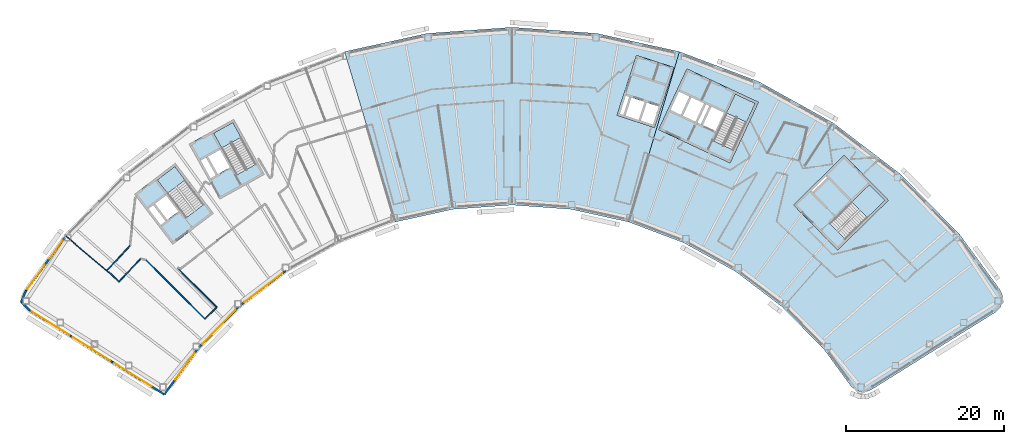
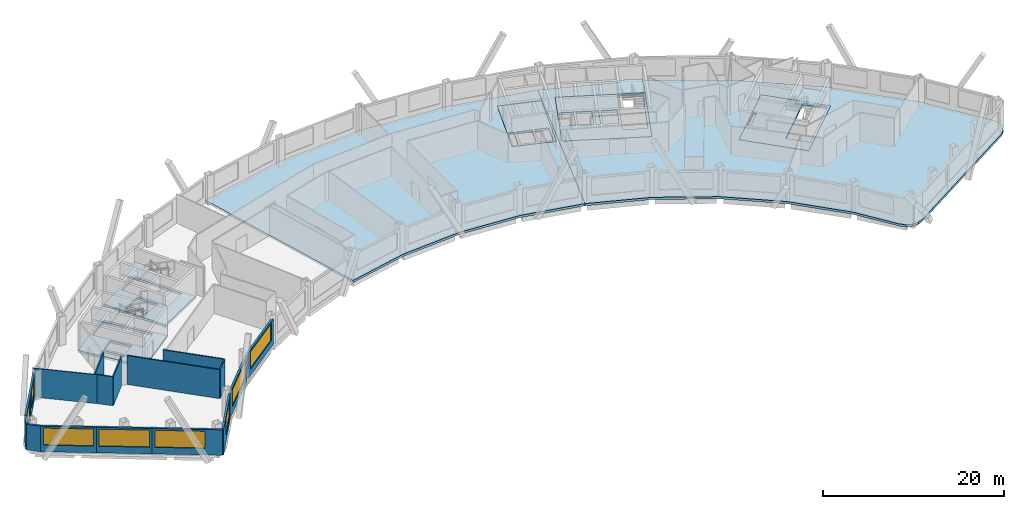
# One storey, part 4 of 13: 16 walls, 11 slabs, 8 windows, 8 openings, 4 elements without a shape of their own.
"""IFC4 building model written with IfcOpenShell, lengths in metres."""

from ifc_helpers import new_model, si_unit, direction, frame, frame_2d, origin, place, context, subcontext, project, spatial, polyline, rectangle, outline, extrude, material, layer, layer_set, type_object, element, fill, aggregate, save


model = new_model("IFC4")

# Units and contexts
model_context = context("Model", 3, precision=1e-05, world=origin(), true_north=direction((0.0, 1.0)))
body_context = subcontext(model_context, "Body", "Model", "MODEL_VIEW")
ifc_project = project(units=[si_unit("LENGTHUNIT", "METRE"), si_unit("AREAUNIT", "SQUARE_METRE"), si_unit("VOLUMEUNIT", "CUBIC_METRE"), si_unit("PLANEANGLEUNIT", "RADIAN"), si_unit("MASSUNIT", "GRAM", prefix="KILO")], contexts=[model_context])

# Site, building, storey
site_placement = place(None, origin())
site = spatial("IfcSite", under=ifc_project, at=site_placement, CompositionType="ELEMENT")
building_placement = place(site_placement, origin())
building = spatial("IfcBuilding", under=site, at=building_placement, Name="Tuul Gate Civic Tower", CompositionType="ELEMENT")
storey_placement = place(building_placement, frame((0.0, 0.0, 302.60009765625)))
storey = spatial("IfcBuildingStorey", under=building, at=storey_placement, Name="Level 68", CompositionType="ELEMENT", Elevation=302.60009765625)

# Slabs
ifc_material_1 = material(Name="Concrete C40/50", Category="concrete")
ifc_layer_1 = layer(ifc_material_1, 0.300048828125)
ifc_layer_set_1 = layer_set([ifc_layer_1], Name="Concrete C40/50")
slab_type_1 = type_object("IfcSlabType", Name="Core floor slab 300", PredefinedType="FLOOR", material=ifc_layer_set_1)
slab_1_placement = place(storey_placement, frame((0.0, 0.0, -0.300048828125)))
element("IfcSlab", 1, at=slab_1_placement, inside=storey, type_object=slab_type_1, Name="FLOOR SLAB", PredefinedType="FLOOR", context=body_context, shape_type="SweptSolid", body=[
    extrude(outline(polyline([(-31.10009765625, -13.7890625), (-35.946044921875, -7.423828125), (-41.11767578125, -11.361572265625), (-36.271484375, -17.726806640625), (-31.10009765625, -13.7890625)]), holes=[polyline([(-35.561767578125, -13.541259765625), (-37.1064453125, -11.512451171875), (-38.498779296875, -12.572509765625), (-36.9541015625, -14.6015625), (-35.561767578125, -13.541259765625)]), polyline([(-37.19287109375, -14.783203125), (-38.737548828125, -12.75439453125), (-39.45361328125, -13.299560546875), (-37.908935546875, -15.328369140625), (-37.19287109375, -14.783203125)]), polyline([(-32.33935546875, -12.65771484375), (-34.56591796875, -14.352783203125), (-38.229736328125, -9.54052734375), (-36.003173828125, -7.845458984375), (-32.33935546875, -12.65771484375)])]), origin(), (0.0, 0.0, 1.0), 0.300048828125),
])
slab_2_placement = place(storey_placement, frame((0.0, 0.0, -0.300048828125)))
element("IfcSlab", 2, at=slab_2_placement, inside=storey, type_object=slab_type_1, Name="FLOOR SLAB", PredefinedType="FLOOR", context=body_context, shape_type="SweptSolid", body=[
    extrude(outline(polyline([(-24.638916015625, -8.846923828125), (-28.51708984375, -1.849853515625), (-34.2021484375, -5.0009765625), (-30.32421875, -11.998046875), (-24.638916015625, -8.846923828125)]), holes=[polyline([(-29.0185546875, -7.958740234375), (-30.254638671875, -5.728515625), (-31.785400390625, -6.576904296875), (-30.54931640625, -8.80712890625), (-29.0185546875, -7.958740234375)]), polyline([(-30.8115234375, -8.95263671875), (-32.047607421875, -6.72216796875), (-32.8349609375, -7.158447265625), (-31.5986328125, -9.388916015625), (-30.8115234375, -8.95263671875)]), polyline([(-25.702392578125, -7.548828125), (-28.14990234375, -8.905517578125), (-31.08203125, -3.615234375), (-28.63427734375, -2.2587890625), (-25.702392578125, -7.548828125)])]), origin(), (0.0, 0.0, 1.0), 0.300048828125),
])
slab_3_placement = place(storey_placement, frame((0.0, 0.0, -0.300048828125)))
element("IfcSlab", 3, at=slab_3_placement, inside=storey, type_object=slab_type_1, Name="FLOOR SLAB", PredefinedType="FLOOR", context=body_context, shape_type="SweptSolid", body=[
    extrude(outline(polyline([(48.117919921875, -18.43310546875), (54.545166015625, -12.1328125), (48.945068359375, -6.419921875), (42.517822265625, -12.719970703125), (48.117919921875, -18.43310546875)]), holes=[polyline([(44.93896484375, -11.046875), (46.760009765625, -9.261962890625), (46.514892578125, -9.011962890625), (44.69384765625, -10.797119140625), (44.93896484375, -11.046875)]), polyline([(49.086181640625, -17.062744140625), (47.12744140625, -15.064208984375), (52.160888671875, -10.130126953125), (54.11962890625, -12.128662109375), (49.086181640625, -17.062744140625)])]), origin(), (0.0, 0.0, 1.0), 0.300048828125),
])
slab_4_placement = place(storey_placement, frame((0.0, 0.0, -0.300048828125)))
element("IfcSlab", 4, at=slab_4_placement, inside=storey, type_object=slab_type_1, Name="FLOOR SLAB", PredefinedType="FLOOR", context=body_context, shape_type="SweptSolid", body=[
    extrude(outline(polyline([(34.465087890625, -7.385986328125), (38.056884765625, 0.31787109375), (28.993896484375, 4.543701171875), (25.40185546875, -3.159912109375), (34.465087890625, -7.385986328125)]), holes=[polyline([(32.60888671875, -3.32080078125), (33.6865234375, -1.009765625), (32.1005859375, -0.27001953125), (31.02294921875, -2.581298828125), (32.60888671875, -3.32080078125)]), polyline([(30.0712890625, -2.137451171875), (31.14892578125, 0.173583984375), (29.562744140625, 0.9130859375), (28.4853515625, -1.39794921875), (30.0712890625, -2.137451171875)]), polyline([(30.751220703125, -2.454345703125), (31.82861328125, -0.143310546875), (31.4208984375, 0.046875), (30.34326171875, -2.264404296875), (30.751220703125, -2.454345703125)]), polyline([(28.21337890625, -1.27099609375), (29.291015625, 1.0400390625), (27.8408203125, 1.71630859375), (26.76318359375, -0.594970703125), (28.21337890625, -1.27099609375)]), polyline([(34.889892578125, -5.7626953125), (32.353759765625, -4.580078125), (35.120849609375, 1.354736328125), (37.6572265625, 0.17236328125), (34.889892578125, -5.7626953125)])]), origin(), (0.0, 0.0, 1.0), 0.300048828125),
])
ifc_material_2 = material(Name="Concrete C40/50", Category="concrete")
ifc_layer_2 = layer(ifc_material_2, 0.300048828125)
ifc_layer_set_2 = layer_set([ifc_layer_2], Name="Concrete C40/50")
slab_type_2 = type_object("IfcSlabType", Name="Core floor slab 300 non-bearing", PredefinedType="FLOOR", material=ifc_layer_set_2)
slab_5_placement = place(storey_placement, frame((0.0, 0.0, -0.300048828125)))
element("IfcSlab", 5, at=slab_5_placement, inside=storey, type_object=slab_type_2, Name="FLOOR SLAB", PredefinedType="FLOOR", context=body_context, shape_type="SweptSolid", body=[
    extrude(outline(polyline([(24.864990234375, -2.888916015625), (27.337890625, 4.71923828125), (22.58251953125, 6.264404296875), (20.109619140625, -1.343994140625), (24.864990234375, -2.888916015625)]), holes=[polyline([(24.67236328125, -2.510986328125), (25.414306640625, -0.228515625), (23.892578125, 0.265869140625), (23.150634765625, -2.0166015625), (24.67236328125, -2.510986328125)]), polyline([(22.865478515625, -1.923828125), (23.607177734375, 0.358642578125), (21.94287109375, 0.8994140625), (21.201171875, -1.383056640625), (22.865478515625, -1.923828125)]), polyline([(20.869384765625, -1.43310546875), (21.65771484375, 0.9921875), (21.0869140625, 1.177490234375), (20.298583984375, -1.24755859375), (20.869384765625, -1.43310546875)])]), origin(), (0.0, 0.0, 1.0), 0.300048828125),
])

# Stair, slab
ifc_material_3 = material(Name="Concrete C40/50", Category="concrete")
stair_type = type_object("IfcStairType", Name="Exit stair", PredefinedType="HALF_TURN_STAIR", material=ifc_material_3)
stair_1_placement = place(storey_placement, origin())
stair_1 = element("IfcStair", 6, at=stair_1_placement, inside=storey, type_object=stair_type, Name="Level 68 ST-1", PredefinedType="HALF_TURN_STAIR")
ifc_material_4 = material(Name="Concrete C40/50", Category="concrete")
ifc_layer_3 = layer(ifc_material_4, 0.199951171875)
ifc_layer_set_3 = layer_set([ifc_layer_3], Name="Concrete C40/50")
slab_type_3 = type_object("IfcSlabType", Name="Exit stair landing", PredefinedType="LANDING", material=ifc_layer_set_3)
slab_6_placement = place(storey_placement, frame((0.0, 0.0, 1.89990234375)))
slab_6 = element("IfcSlab", 7, at=slab_6_placement, type_object=slab_type_3, Name="ST-1 landing 1", PredefinedType="LANDING", context=body_context, shape_type="SweptSolid", body=[
    extrude(outline(polyline([(-34.699462890625, -9.554931640625), (-36.9287109375, -11.252197265625), (-38.23193359375, -9.540283203125), (-36.0029296875, -7.843017578125), (-34.699462890625, -9.554931640625)])), origin(), (0.0, 0.0, 1.0), 0.199951171875),
])
aggregate(stair_1, [slab_6])

stair_2_placement = place(storey_placement, origin())
stair_2 = element("IfcStair", 8, at=stair_2_placement, inside=storey, type_object=stair_type, Name="Level 68 ST-2", PredefinedType="HALF_TURN_STAIR")
slab_7_placement = place(storey_placement, frame((0.0, 0.0, 1.89990234375)))
slab_7 = element("IfcSlab", 9, at=slab_7_placement, type_object=slab_type_3, Name="ST-2 landing 1", PredefinedType="LANDING", context=body_context, shape_type="SweptSolid", body=[
    extrude(outline(polyline([(-27.5908203125, -4.138427734375), (-30.041015625, -5.49658203125), (-31.084228515625, -3.61474609375), (-28.6337890625, -2.256591796875), (-27.5908203125, -4.138427734375)])), origin(), (0.0, 0.0, 1.0), 0.199951171875),
])
aggregate(stair_2, [slab_7])

stair_3_placement = place(storey_placement, origin())
stair_3 = element("IfcStair", 10, at=stair_3_placement, inside=storey, type_object=stair_type, Name="Level 68 ST-3", PredefinedType="HALF_TURN_STAIR")
slab_8_placement = place(storey_placement, frame((0.0, 0.0, 1.89990234375)))
slab_8 = element("IfcSlab", 11, at=slab_8_placement, type_object=slab_type_3, Name="ST-3 landing 1", PredefinedType="LANDING", context=body_context, shape_type="SweptSolid", body=[
    extrude(outline(polyline([(51.871337890625, -14.3349609375), (49.91015625, -12.334228515625), (52.160888671875, -10.1279296875), (54.1220703125, -12.128662109375), (51.871337890625, -14.3349609375)])), origin(), (0.0, 0.0, 1.0), 0.199951171875),
])
aggregate(stair_3, [slab_8])

stair_4_placement = place(storey_placement, origin())
stair_4 = element("IfcStair", 12, at=stair_4_placement, inside=storey, type_object=stair_type, Name="Level 68 ST-4", PredefinedType="HALF_TURN_STAIR")
slab_9_placement = place(storey_placement, frame((0.0, 0.0, 1.89990234375)))
slab_9 = element("IfcSlab", 13, at=slab_9_placement, type_object=slab_type_3, Name="ST-4 landing 1", PredefinedType="LANDING", context=body_context, shape_type="SweptSolid", body=[
    extrude(outline(polyline([(36.538818359375, -2.230224609375), (33.999755859375, -1.046142578125), (35.1201171875, 1.35693359375), (37.659423828125, 0.173095703125), (36.538818359375, -2.230224609375)])), origin(), (0.0, 0.0, 1.0), 0.199951171875),
])
aggregate(stair_4, [slab_9])

# Slabs
ifc_material_5 = material(Name="Concrete C35/45", Category="concrete")
ifc_layer_4 = layer(ifc_material_5, 0.300048828125)
ifc_layer_set_4 = layer_set([ifc_layer_4], Name="Concrete C35/45")
slab_type_4 = type_object("IfcSlabType", Name="STR-FLOOR-SLAB-300", PredefinedType="FLOOR", material=ifc_layer_set_4)
slab_10_placement = place(storey_placement, frame((0.0, 0.0, -0.300048828125)))
element("IfcSlab", 14, at=slab_10_placement, inside=storey, type_object=slab_type_4, Name="Level 68/slab/M", PredefinedType="FLOOR", context=body_context, shape_type="SweptSolid", body=[
    extrude(outline(polyline([(21.60205078125, -14.883056640625), (28.035888671875, 6.739013671875), (17.52392578125, 9.054931640625), (6.7880859375, 9.8330078125), (-3.947998046875, 9.054931640625), (-14.4599609375, 6.739013671875), (-8.02587890625, -14.883056640625), (-0.697021484375, -13.26806640625), (6.7880859375, -12.72607421875), (14.27294921875, -13.26806640625), (21.60205078125, -14.883056640625)]), holes=[polyline([(20.110107421875, -1.343994140625), (22.58203125, 6.264892578125), (27.337890625, 4.719970703125), (24.864990234375, -2.888916015625), (20.110107421875, -1.343994140625)])]), origin(), (0.0, 0.0, 1.0), 0.300048828125),
])
slab_11_placement = place(storey_placement, frame((0.0, 0.0, -0.300048828125)))
element("IfcSlab", 15, at=slab_11_placement, inside=storey, type_object=slab_type_4, Name="Level 68/slab/E", PredefinedType="FLOOR", context=body_context, shape_type="SweptSolid", body=[
    extrude(outline(polyline([(51.719970703125, -36.427001953125), (52.4140625, -36.156005859375), (68.14404296875, -26.326904296875), (68.73388671875, -25.762939453125), (69.048095703125, -25.010009765625), (69.035888671875, -24.195068359375), (68.699951171875, -23.451904296875), (63.618896484375, -16.4951171875), (56.083984375, -8.80810546875), (47.51904296875, -2.287109375), (38.10498046875, 2.930908203125), (28.035888671875, 6.739013671875), (21.60205078125, -14.883056640625), (28.6220703125, -17.5380859375), (35.18603515625, -21.176025390625), (41.156982421875, -25.721923828125), (46.409912109375, -31.08203125), (49.739013671875, -35.639892578125), (50.282958984375, -36.14892578125), (50.97509765625, -36.424072265625), (51.719970703125, -36.427001953125)]), holes=[polyline([(48.117919921875, -18.43310546875), (42.51806640625, -12.719970703125), (48.945068359375, -6.419921875), (54.544921875, -12.133056640625), (48.117919921875, -18.43310546875)]), polyline([(25.402099609375, -3.159912109375), (28.993896484375, 4.5439453125), (38.056884765625, 0.318115234375), (34.465087890625, -7.385986328125), (25.402099609375, -3.159912109375)])]), origin(), (0.0, 0.0, 1.0), 0.300048828125),
])

# Walls
ifc_material_6 = material(Name="Gypsum board partition")
ifc_layer_5 = layer(ifc_material_6, 0.14990234375)
ifc_layer_set_5 = layer_set([ifc_layer_5], Name="Gypsum board partition")
wall_type_1 = type_object("IfcWallType", Name="Corridor wall P150", PredefinedType="PARTITIONING", material=ifc_layer_set_5)
wall_1_placement = place(storey_placement, frame((-44.6142578125, -21.029052734375, 0.0), z_axis=(0.0, 0.0, 1.0), x_axis=(0.68265633177, 0.730739579259, 0.0)))
element("IfcWall", 16, at=wall_1_placement, inside=storey, type_object=wall_type_1, Name="p045", PredefinedType="PARTITIONING", context=body_context, shape_type="SweptSolid", body=[
    extrude(rectangle(XDim=4.27001953125, YDim=0.14990234375, at=frame_2d((2.135009765625, 0.0))), origin(), (0.0, 0.0, 1.0), 3.89990234375),
])
wall_2_placement = place(storey_placement, frame((-44.39306640625, -21.236572265625, 0.0), z_axis=(0.0, 0.0, 1.0), x_axis=(0.730747937215, -0.682647385007, 0.0)))
element("IfcWall", 17, at=wall_2_placement, inside=storey, type_object=wall_type_1, Name="p046", PredefinedType="PARTITIONING", context=body_context, shape_type="SweptSolid", body=[
    extrude(rectangle(XDim=1.796875, YDim=0.14990234375, at=frame_2d((0.8984375, 0.0))), origin(), (0.0, 0.0, 1.0), 3.89990234375),
])
wall_3_placement = place(storey_placement, frame((-43.080078125, -22.463134765625, 0.0), z_axis=(0.0, 0.0, 1.0), x_axis=(0.682698460931, 0.730700219955, 0.0)))
element("IfcWall", 18, at=wall_3_placement, inside=storey, type_object=wall_type_1, Name="p078", PredefinedType="PARTITIONING", context=body_context, shape_type="SweptSolid", body=[
    extrude(rectangle(XDim=4.002685546875, YDim=0.14990234375, at=frame_2d((2.00146484375, 0.0))), origin(), (0.0, 0.0, 1.0), 3.89990234375),
])
wall_4_placement = place(storey_placement, frame((-39.660400390625, -19.703369140625, 0.0), z_axis=(0.0, 0.0, 1.0), x_axis=(0.707106781187, -0.707106781187, 0.0)))
element("IfcWall", 19, at=wall_4_placement, inside=storey, type_object=wall_type_1, Name="p081", PredefinedType="PARTITIONING", context=body_context, shape_type="SweptSolid", body=[
    extrude(rectangle(XDim=10.580078125, YDim=0.14990234375, at=frame_2d((5.2900390625, 0.0))), origin(), (0.0, 0.0, 1.0), 3.89990234375),
])
wall_5_placement = place(storey_placement, frame((-32.17919921875, -27.1845703125, 0.0), z_axis=(0.0, 0.0, 1.0), x_axis=(0.707164905125, 0.70704865247, 0.0)))
element("IfcWall", 20, at=wall_5_placement, inside=storey, type_object=wall_type_1, Name="p082", PredefinedType="PARTITIONING", context=body_context, shape_type="SweptSolid", body=[
    extrude(rectangle(XDim=2.10009765625, YDim=0.14990234375, at=frame_2d((1.050048828125, 0.0))), origin(), (0.0, 0.0, 1.0), 3.89990234375),
])
wall_6_placement = place(storey_placement, frame((-35.668701171875, -20.72509765625, 0.0), z_axis=(0.0, 0.0, 1.0), x_axis=(0.707106781187, -0.707106781187, 0.0)))
element("IfcWall", 21, at=wall_6_placement, inside=storey, type_object=wall_type_1, Name="p083", PredefinedType="PARTITIONING", context=body_context, shape_type="SweptSolid", body=[
    extrude(rectangle(XDim=7.03515625, YDim=0.14990234375, at=frame_2d((3.517578125, 0.0))), origin(), (0.0, 0.0, 1.0), 3.89990234375),
])

# Wall, openings, windows
ifc_material_7 = material(Name="Precast concrete C40/50", Category="concrete")
ifc_layer_6 = layer(ifc_material_7, 0.25)
ifc_layer_set_6 = layer_set([ifc_layer_6], Name="Precast concrete C40/50")
wall_type_2 = type_object("IfcWallType", Name="External wall", PredefinedType="STANDARD", material=ifc_layer_set_6)
wall_7_placement = place(storey_placement, frame((-49.98388671875, -16.880615234375, 0.0), z_axis=(0.0, 0.0, 1.0), x_axis=(-0.589770614985, -0.807570815285, 0.0)))
wall_7 = element("IfcWall", 22, at=wall_7_placement, inside=storey, type_object=wall_type_2, Name="External wall", PredefinedType="STANDARD", context=body_context, shape_type="SweptSolid", body=[
    extrude(rectangle(XDim=8.337646484375, YDim=0.25, at=frame_2d((4.1689453125, 0.0))), origin(), (0.0, 0.0, 1.0), 3.449951171875),
])
opening_1_placement = place(wall_7_placement, frame((0.48486328125, 0.0, 0.89990234375)))
opening_1 = element("IfcOpeningElement", 23, at=opening_1_placement, cuts=wall_7, Name="Opening W23", PredefinedType="OPENING", context=body_context, shape_type="SweptSolid", body=[
    extrude(rectangle(XDim=2.800048828125, YDim=2.300048828125, at=frame_2d((1.39990234375, 1.14990234375))), frame((0.0, 0.135009765625, 0.0), z_axis=(0.0, -1.0, 0.0), x_axis=(1.0, 0.0, 0.0)), (0.0, 0.0, 1.0), 0.27001953125),
])
opening_2_placement = place(wall_7_placement, frame((4.33642578125, 0.0, 0.89990234375)))
opening_2 = element("IfcOpeningElement", 24, at=opening_2_placement, cuts=wall_7, Name="Opening W21", PredefinedType="OPENING", context=body_context, shape_type="SweptSolid", body=[
    extrude(rectangle(XDim=3.699951171875, YDim=2.300048828125, at=frame_2d((1.85009765625, 1.14990234375))), frame((0.0, 0.135009765625, 0.0), z_axis=(0.0, -1.0, 0.0), x_axis=(1.0, 0.0, 0.0)), (0.0, 0.0, 1.0), 0.27001953125),
])
ifc_material_8 = material(Name="Glass", Category="glass")
window_type_1 = type_object("IfcWindowType", Name="Window W21 3700 x 2300", PartitioningType="SINGLE_PANEL", PredefinedType="WINDOW", material=ifc_material_8)
window_1_placement = place(opening_2_placement, origin())
window_1 = element("IfcWindow", 25, at=window_1_placement, inside=storey, type_object=window_type_1, Name="Window", OverallHeight=2.300048828125, OverallWidth=3.699951171875, PartitioningType="SINGLE_PANEL", PredefinedType="WINDOW", context=body_context, shape_type="SweptSolid", body=[
    extrude(rectangle(XDim=3.699951171875, YDim=2.300048828125, at=frame_2d((1.85009765625, 1.14990234375))), frame((0.0, 0.030029296875, 0.0), z_axis=(0.0, -1.0, 0.0), x_axis=(1.0, 0.0, 0.0)), (0.0, 0.0, 1.0), 0.06005859375),
])
fill(opening_2, window_1)
ifc_material_9 = material(Name="Glass", Category="glass")
window_type_2 = type_object("IfcWindowType", Name="Window W23 2800 x 2300", PartitioningType="SINGLE_PANEL", PredefinedType="WINDOW", material=ifc_material_9)
window_2_placement = place(opening_1_placement, origin())
window_2 = element("IfcWindow", 26, at=window_2_placement, inside=storey, type_object=window_type_2, Name="Window", OverallHeight=2.300048828125, OverallWidth=2.800048828125, PartitioningType="SINGLE_PANEL", PredefinedType="WINDOW", context=body_context, shape_type="SweptSolid", body=[
    extrude(rectangle(XDim=2.800048828125, YDim=2.300048828125, at=frame_2d((1.39990234375, 1.14990234375))), frame((0.0, 0.030029296875, 0.0), z_axis=(0.0, -1.0, 0.0), x_axis=(1.0, 0.0, 0.0)), (0.0, 0.0, 1.0), 0.06005859375),
])
fill(opening_1, window_2)

# Walls
wall_8_placement = place(storey_placement, frame((-54.88818359375, -23.591796875, 0.0), z_axis=(0.0, 0.0, 1.0), x_axis=(-0.413556849361, -0.910478298669, 0.0)))
element("IfcWall", 27, at=wall_8_placement, inside=storey, type_object=wall_type_2, Name="External wall", PredefinedType="STANDARD", context=body_context, shape_type="SweptSolid", body=[
    extrude(rectangle(XDim=1.56982421875, YDim=0.25, at=frame_2d((0.784912109375, 0.0))), origin(), (0.0, 0.0, 1.0), 3.449951171875),
])
wall_9_placement = place(storey_placement, frame((-55.537353515625, -25.02099609375, 0.0), z_axis=(0.0, 0.0, 1.0), x_axis=(0.721623018899, -0.692286225917, 0.0)))
element("IfcWall", 28, at=wall_9_placement, inside=storey, type_object=wall_type_2, Name="External wall", PredefinedType="STANDARD", context=body_context, shape_type="SweptSolid", body=[
    extrude(rectangle(XDim=1.57275390625, YDim=0.25, at=frame_2d((0.786376953125, 0.0))), origin(), (0.0, 0.0, 1.0), 3.449951171875),
])

# Wall, opening, window
wall_10_placement = place(storey_placement, frame((-54.4228515625, -26.093994140625, 0.0), z_axis=(0.0, 0.0, 1.0), x_axis=(0.848053758074, -0.529910203164, 0.0)))
wall_10 = element("IfcWall", 29, at=wall_10_placement, inside=storey, type_object=wall_type_2, Name="External wall", PredefinedType="STANDARD", context=body_context, shape_type="SweptSolid", body=[
    extrude(rectangle(XDim=6.182861328125, YDim=0.25, at=frame_2d((3.09130859375, 0.0))), origin(), (0.0, 0.0, 1.0), 3.449951171875),
])
opening_3_placement = place(wall_10_placement, frame((0.31640625, 0.0, 0.89990234375)))
opening_3 = element("IfcOpeningElement", 30, at=opening_3_placement, cuts=wall_10, Name="Opening W24", PredefinedType="OPENING", context=body_context, shape_type="SweptSolid", body=[
    extrude(rectangle(XDim=5.550048828125, YDim=2.300048828125, at=frame_2d((2.77490234375, 1.14990234375))), frame((0.0, 0.135009765625, 0.0), z_axis=(0.0, -1.0, 0.0), x_axis=(1.0, 0.0, 0.0)), (0.0, 0.0, 1.0), 0.27001953125),
])
ifc_material_10 = material(Name="Glass", Category="glass")
window_type_3 = type_object("IfcWindowType", Name="Window W24 5550 x 2300", PartitioningType="SINGLE_PANEL", PredefinedType="WINDOW", material=ifc_material_10)
window_3_placement = place(opening_3_placement, origin())
window_3 = element("IfcWindow", 31, at=window_3_placement, inside=storey, type_object=window_type_3, Name="Window", OverallHeight=2.300048828125, OverallWidth=5.550048828125, PartitioningType="SINGLE_PANEL", PredefinedType="WINDOW", context=body_context, shape_type="SweptSolid", body=[
    extrude(rectangle(XDim=5.550048828125, YDim=2.300048828125, at=frame_2d((2.77490234375, 1.14990234375))), frame((0.0, 0.030029296875, 0.0), z_axis=(0.0, -1.0, 0.0), x_axis=(1.0, 0.0, 0.0)), (0.0, 0.0, 1.0), 0.06005859375),
])
fill(opening_3, window_3)

wall_11_placement = place(storey_placement, frame((-49.179443359375, -29.370361328125, 0.0), z_axis=(0.0, 0.0, 1.0), x_axis=(0.848053758074, -0.529910203164, 0.0)))
wall_11 = element("IfcWall", 32, at=wall_11_placement, inside=storey, type_object=wall_type_2, Name="External wall", PredefinedType="STANDARD", context=body_context, shape_type="SweptSolid", body=[
    extrude(rectangle(XDim=6.182861328125, YDim=0.25, at=frame_2d((3.09130859375, 0.0))), origin(), (0.0, 0.0, 1.0), 3.449951171875),
])
opening_4_placement = place(wall_11_placement, frame((0.31640625, 0.0, 0.89990234375)))
opening_4 = element("IfcOpeningElement", 33, at=opening_4_placement, cuts=wall_11, Name="Opening W24", PredefinedType="OPENING", context=body_context, shape_type="SweptSolid", body=[
    extrude(rectangle(XDim=5.550048828125, YDim=2.300048828125, at=frame_2d((2.77490234375, 1.14990234375))), frame((0.0, 0.135009765625, 0.0), z_axis=(0.0, -1.0, 0.0), x_axis=(1.0, 0.0, 0.0)), (0.0, 0.0, 1.0), 0.27001953125),
])
window_4_placement = place(opening_4_placement, origin())
window_4 = element("IfcWindow", 34, at=window_4_placement, inside=storey, type_object=window_type_3, Name="Window", OverallHeight=2.300048828125, OverallWidth=5.550048828125, PartitioningType="SINGLE_PANEL", PredefinedType="WINDOW", context=body_context, shape_type="SweptSolid", body=[
    extrude(rectangle(XDim=5.550048828125, YDim=2.300048828125, at=frame_2d((2.77490234375, 1.14990234375))), frame((0.0, 0.030029296875, 0.0), z_axis=(0.0, -1.0, 0.0), x_axis=(1.0, 0.0, 0.0)), (0.0, 0.0, 1.0), 0.06005859375),
])
fill(opening_4, window_4)

wall_12_placement = place(storey_placement, frame((-43.93603515625, -32.646728515625, 0.0), z_axis=(0.0, 0.0, 1.0), x_axis=(0.848051131154, -0.529914407191, 0.0)))
wall_12 = element("IfcWall", 35, at=wall_12_placement, inside=storey, type_object=wall_type_2, Name="External wall", PredefinedType="STANDARD", context=body_context, shape_type="SweptSolid", body=[
    extrude(rectangle(XDim=7.788330078125, YDim=0.25, at=frame_2d((3.89404296875, 0.0))), origin(), (0.0, 0.0, 1.0), 3.449951171875),
])
opening_5_placement = place(wall_12_placement, frame((0.31640625, 0.0, 0.89990234375)))
opening_5 = element("IfcOpeningElement", 36, at=opening_5_placement, cuts=wall_12, Name="Opening W24", PredefinedType="OPENING", context=body_context, shape_type="SweptSolid", body=[
    extrude(rectangle(XDim=5.550048828125, YDim=2.300048828125, at=frame_2d((2.77490234375, 1.14990234375))), frame((0.0, 0.135009765625, 0.0), z_axis=(0.0, -1.0, 0.0), x_axis=(1.0, 0.0, 0.0)), (0.0, 0.0, 1.0), 0.27001953125),
])
window_5_placement = place(opening_5_placement, origin())
window_5 = element("IfcWindow", 37, at=window_5_placement, inside=storey, type_object=window_type_3, Name="Window", OverallHeight=2.300048828125, OverallWidth=5.550048828125, PartitioningType="SINGLE_PANEL", PredefinedType="WINDOW", context=body_context, shape_type="SweptSolid", body=[
    extrude(rectangle(XDim=5.550048828125, YDim=2.300048828125, at=frame_2d((2.77490234375, 1.14990234375))), frame((0.0, 0.030029296875, 0.0), z_axis=(0.0, -1.0, 0.0), x_axis=(1.0, 0.0, 0.0)), (0.0, 0.0, 1.0), 0.06005859375),
])
fill(opening_5, window_5)

wall_13_placement = place(storey_placement, frame((-37.3310546875, -36.77392578125, 0.0), z_axis=(0.0, 0.0, 1.0), x_axis=(0.589738966527, 0.807593927267, 0.0)))
wall_13 = element("IfcWall", 38, at=wall_13_placement, inside=storey, type_object=wall_type_2, Name="External wall", PredefinedType="STANDARD", context=body_context, shape_type="SweptSolid", body=[
    extrude(rectangle(XDim=7.034423828125, YDim=0.25, at=frame_2d((3.51708984375, 0.0))), origin(), (0.0, 0.0, 1.0), 3.449951171875),
])
opening_6_placement = place(wall_13_placement, frame((2.356689453125, 0.0, 0.89990234375)))
opening_6 = element("IfcOpeningElement", 39, at=opening_6_placement, cuts=wall_13, Name="Opening W25", PredefinedType="OPENING", context=body_context, shape_type="SweptSolid", body=[
    extrude(rectangle(XDim=4.14990234375, YDim=2.300048828125, at=frame_2d((2.074951171875, 1.14990234375))), frame((0.0, 0.135009765625, 0.0), z_axis=(0.0, -1.0, 0.0), x_axis=(1.0, 0.0, 0.0)), (0.0, 0.0, 1.0), 0.27001953125),
])
ifc_material_11 = material(Name="Glass", Category="glass")
window_type_4 = type_object("IfcWindowType", Name="Window W25 4150 x 2300", PartitioningType="SINGLE_PANEL", PredefinedType="WINDOW", material=ifc_material_11)
window_6_placement = place(opening_6_placement, origin())
window_6 = element("IfcWindow", 40, at=window_6_placement, inside=storey, type_object=window_type_4, Name="Window", OverallHeight=2.300048828125, OverallWidth=4.14990234375, PartitioningType="SINGLE_PANEL", PredefinedType="WINDOW", context=body_context, shape_type="SweptSolid", body=[
    extrude(rectangle(XDim=4.14990234375, YDim=2.300048828125, at=frame_2d((2.074951171875, 1.14990234375))), frame((0.0, 0.030029296875, 0.0), z_axis=(0.0, -1.0, 0.0), x_axis=(1.0, 0.0, 0.0)), (0.0, 0.0, 1.0), 0.06005859375),
])
fill(opening_6, window_6)

wall_14_placement = place(storey_placement, frame((-32.89306640625, -30.749267578125, 0.0), z_axis=(0.0, 0.0, 1.0), x_axis=(0.700033997015, 0.714109517528, 0.0)))
wall_14 = element("IfcWall", 41, at=wall_14_placement, inside=storey, type_object=wall_type_2, Name="External wall", PredefinedType="STANDARD", context=body_context, shape_type="SweptSolid", body=[
    extrude(rectangle(XDim=7.111572265625, YDim=0.25, at=frame_2d((3.5556640625, 0.0))), origin(), (0.0, 0.0, 1.0), 3.449951171875),
])
opening_7_placement = place(wall_14_placement, frame((0.555908203125, 0.0, 0.89990234375)))
opening_7 = element("IfcOpeningElement", 42, at=opening_7_placement, cuts=wall_14, Name="Opening W26", PredefinedType="OPENING", context=body_context, shape_type="SweptSolid", body=[
    extrude(rectangle(XDim=6.0, YDim=2.300048828125, at=frame_2d((3.0, 1.14990234375))), frame((0.0, 0.135009765625, 0.0), z_axis=(0.0, -1.0, 0.0), x_axis=(1.0, 0.0, 0.0)), (0.0, 0.0, 1.0), 0.27001953125),
])
ifc_material_12 = material(Name="Glass", Category="glass")
window_type_5 = type_object("IfcWindowType", Name="Window W26 6000 x 2300", PartitioningType="SINGLE_PANEL", PredefinedType="WINDOW", material=ifc_material_12)
window_7_placement = place(opening_7_placement, origin())
window_7 = element("IfcWindow", 43, at=window_7_placement, inside=storey, type_object=window_type_5, Name="Window", OverallHeight=2.300048828125, OverallWidth=6.0, PartitioningType="SINGLE_PANEL", PredefinedType="WINDOW", context=body_context, shape_type="SweptSolid", body=[
    extrude(rectangle(XDim=6.0, YDim=2.300048828125, at=frame_2d((3.0, 1.14990234375))), frame((0.0, 0.030029296875, 0.0), z_axis=(0.0, -1.0, 0.0), x_axis=(1.0, 0.0, 0.0)), (0.0, 0.0, 1.0), 0.06005859375),
])
fill(opening_7, window_7)

wall_15_placement = place(storey_placement, frame((-27.5791015625, -25.3759765625, 0.0), z_axis=(0.0, 0.0, 1.0), x_axis=(0.795582375141, 0.605845429433, 0.0)))
wall_15 = element("IfcWall", 44, at=wall_15_placement, inside=storey, type_object=wall_type_2, Name="External wall", PredefinedType="STANDARD", context=body_context, shape_type="SweptSolid", body=[
    extrude(rectangle(XDim=7.10400390625, YDim=0.25, at=frame_2d((3.552001953125, 0.0))), origin(), (0.0, 0.0, 1.0), 3.449951171875),
])
opening_8_placement = place(wall_15_placement, frame((0.541259765625, 0.0, 0.89990234375)))
opening_8 = element("IfcOpeningElement", 45, at=opening_8_placement, cuts=wall_15, Name="Opening W26", PredefinedType="OPENING", context=body_context, shape_type="SweptSolid", body=[
    extrude(rectangle(XDim=6.0, YDim=2.300048828125, at=frame_2d((3.0, 1.14990234375))), frame((0.0, 0.135009765625, 0.0), z_axis=(0.0, -1.0, 0.0), x_axis=(1.0, 0.0, 0.0)), (0.0, 0.0, 1.0), 0.27001953125),
])
window_8_placement = place(opening_8_placement, origin())
window_8 = element("IfcWindow", 46, at=window_8_placement, inside=storey, type_object=window_type_5, Name="Window", OverallHeight=2.300048828125, OverallWidth=6.0, PartitioningType="SINGLE_PANEL", PredefinedType="WINDOW", context=body_context, shape_type="SweptSolid", body=[
    extrude(rectangle(XDim=6.0, YDim=2.300048828125, at=frame_2d((3.0, 1.14990234375))), frame((0.0, 0.030029296875, 0.0), z_axis=(0.0, -1.0, 0.0), x_axis=(1.0, 0.0, 0.0)), (0.0, 0.0, 1.0), 0.06005859375),
])
fill(opening_8, window_8)

# Wall
ifc_material_13 = material(Name="Gypsum board partition")
ifc_layer_7 = layer(ifc_material_13, 0.10009765625)
ifc_layer_set_7 = layer_set([ifc_layer_7], Name="Gypsum board partition")
wall_type_3 = type_object("IfcWallType", Name="Partition P100", PredefinedType="PARTITIONING", material=ifc_layer_set_7)
wall_16_placement = place(storey_placement, frame((-49.83642578125, -16.669921875, 0.0), z_axis=(0.0, 0.0, 1.0), x_axis=(0.762820003428, -0.646610889461, 0.0)))
element("IfcWall", 47, at=wall_16_placement, inside=storey, type_object=wall_type_3, Name="p036", PredefinedType="PARTITIONING", context=body_context, shape_type="SweptSolid", body=[
    extrude(rectangle(XDim=7.100830078125, YDim=0.10009765625, at=frame_2d((3.55029296875, 0.0))), origin(), (0.0, 0.0, 1.0), 3.89990234375),
])

save(model, "model.ifc")
